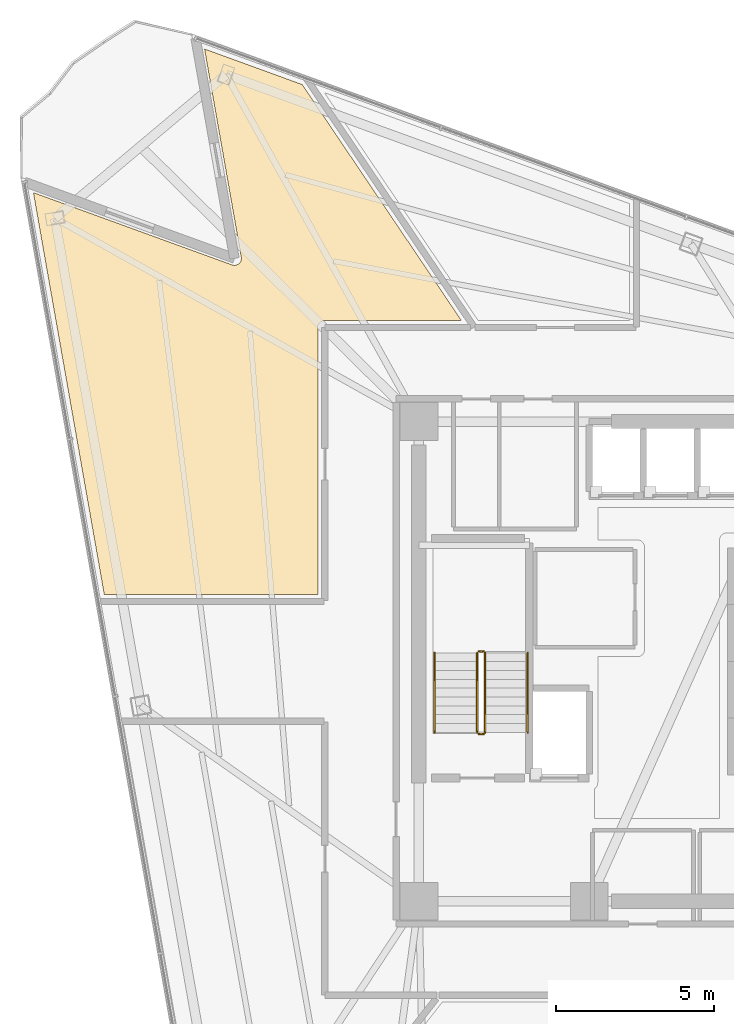
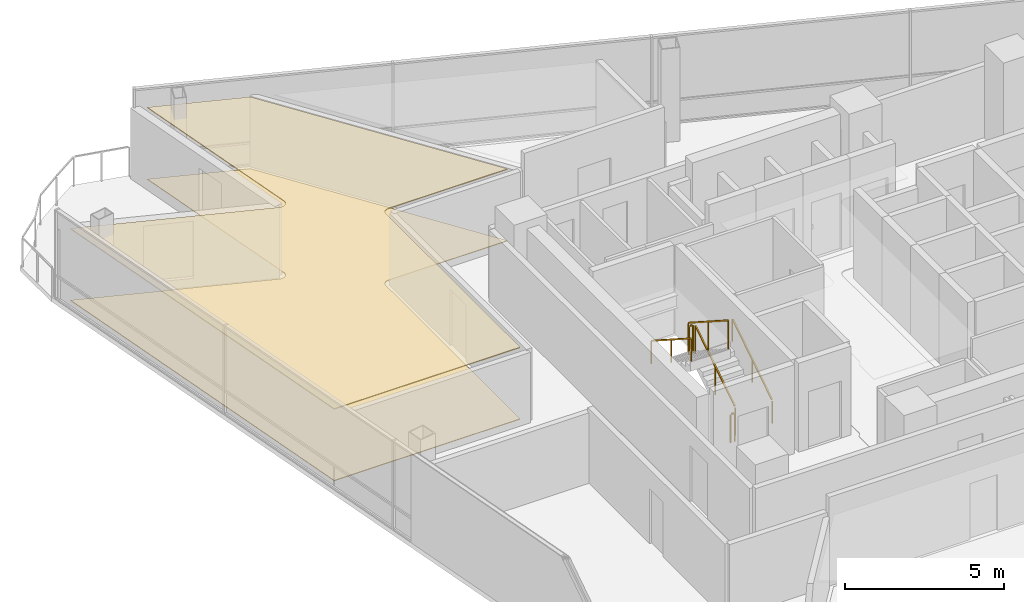
# One storey, part 14 of 16: 6 railings, 2 coverings.
"""IFC4 building model written with IfcOpenShell, lengths in metres."""

from ifc_helpers import new_model, si_unit, direction, frame, origin, origin_2d, place, context, subcontext, project, spatial, polyline, rectangle, outline, extrude, material, layer, layer_set, type_object, element, save


model = new_model("IFC4")

# Units and contexts
model_context = context("Model", 3, precision=1e-05, world=origin(), true_north=direction((0.0, 1.0)))
body_context = subcontext(model_context, "Body", "Model", "MODEL_VIEW")
ifc_project = project(units=[si_unit("LENGTHUNIT", "METRE"), si_unit("AREAUNIT", "SQUARE_METRE"), si_unit("VOLUMEUNIT", "CUBIC_METRE"), si_unit("PLANEANGLEUNIT", "RADIAN"), si_unit("MASSUNIT", "GRAM", prefix="KILO")], contexts=[model_context])

# Site, building, storey
site_placement = place(None, origin())
site = spatial("IfcSite", under=ifc_project, at=site_placement, CompositionType="ELEMENT")
building_placement = place(site_placement, origin())
building = spatial("IfcBuilding", under=site, at=building_placement, Name="Tharavind Bronze Gate", CompositionType="ELEMENT")
storey_placement = place(building_placement, frame((0.0, 0.0, 188.5)))
storey = spatial("IfcBuildingStorey", under=building, at=storey_placement, Name="L48", CompositionType="ELEMENT", Elevation=188.5)

# Coverings
ifc_material_1 = material(Name="Engineered Oak & Carpet Tile", Category="wood")
ifc_layer_1 = layer(ifc_material_1, 0.02490234375)
ifc_layer_set_1 = layer_set([ifc_layer_1], Name="Engineered Oak & Carpet Tile")
covering_type_1 = type_object("IfcCoveringType", Name="ENGINEERED TIMBER FLOORING", PredefinedType="FLOORING", material=ifc_layer_set_1)
covering_1_placement = place(storey_placement, origin())
element("IfcCovering", 1, at=covering_1_placement, inside=storey, type_object=covering_type_1, Name="L48-RM-03 floor finish", PredefinedType="FLOORING", context=body_context, shape_type="SweptSolid", body=[
    extrude(outline(polyline([(-18.868408203125, 2.1201171875), (-12.10009765625, 2.1201171875), (-12.10009765625, 10.579345703125), (-12.099609375, 10.590087890625), (-12.099609375, 10.5908203125), (-12.09765625, 10.6123046875), (-12.093505859375, 10.63330078125), (-12.087158203125, 10.654052734375), (-12.078857421875, 10.674072265625), (-12.068603515625, 10.693115234375), (-12.056640625, 10.7109375), (-12.04296875, 10.727783203125), (-12.027587890625, 10.742919921875), (-12.010986328125, 10.756591796875), (-11.9931640625, 10.768798828125), (-11.97412109375, 10.77880859375), (-11.9541015625, 10.787109375), (-11.933349609375, 10.79345703125), (-11.912353515625, 10.797607421875), (-11.890869140625, 10.7998046875), (-11.89013671875, 10.7998046875), (-11.87939453125, 10.800048828125), (-7.550048828125, 10.800048828125), (-12.59521484375, 18.27978515625), (-15.690185546875, 19.40625), (-14.527099609375, 12.8095703125), (-14.525390625, 12.798828125), (-14.525390625, 12.798095703125), (-14.523681640625, 12.7763671875), (-14.5244140625, 12.75439453125), (-14.527099609375, 12.732666015625), (-14.531982421875, 12.711181640625), (-14.538818359375, 12.6904296875), (-14.5478515625, 12.67041015625), (-14.558837890625, 12.651611328125), (-14.571533203125, 12.6337890625), (-14.586181640625, 12.6171875), (-14.602294921875, 12.602294921875), (-14.61962890625, 12.589111328125), (-14.638427734375, 12.57763671875), (-14.658203125, 12.568115234375), (-14.6787109375, 12.560546875), (-14.699951171875, 12.55517578125), (-14.7216796875, 12.552001953125), (-14.74365234375, 12.55078125), (-14.765380859375, 12.552001953125), (-14.787109375, 12.55517578125), (-14.80859375, 12.560546875), (-14.80908203125, 12.560791015625), (-14.8193359375, 12.564208984375), (-21.114013671875, 14.855224609375), (-18.868408203125, 2.1201171875)])), origin(), (0.0, 0.0, 1.0), 0.02490234375),
])
ifc_material_2 = material(Name="Acoustic Gypsum Board", Category="gypsum")
ifc_layer_2 = layer(ifc_material_2, 0.030029296875)
ifc_layer_set_2 = layer_set([ifc_layer_2], Name="Acoustic Gypsum Board")
covering_type_2 = type_object("IfcCoveringType", Name="GYPSUM SUSPENDED CEILING", PredefinedType="CEILING", material=ifc_layer_set_2)
covering_2_placement = place(storey_placement, frame((0.0, 0.0, 2.75)))
element("IfcCovering", 2, at=covering_2_placement, inside=storey, type_object=covering_type_2, Name="L48-RM-03 suspended ceiling", PredefinedType="CEILING", context=body_context, shape_type="SweptSolid", body=[
    extrude(outline(polyline([(-18.868408203125, 2.1201171875), (-12.10009765625, 2.1201171875), (-12.10009765625, 10.579345703125), (-12.099609375, 10.590087890625), (-12.099609375, 10.5908203125), (-12.09765625, 10.6123046875), (-12.093505859375, 10.63330078125), (-12.087158203125, 10.654052734375), (-12.078857421875, 10.674072265625), (-12.068603515625, 10.693115234375), (-12.056640625, 10.7109375), (-12.04296875, 10.727783203125), (-12.027587890625, 10.742919921875), (-12.010986328125, 10.756591796875), (-11.9931640625, 10.768798828125), (-11.97412109375, 10.77880859375), (-11.9541015625, 10.787109375), (-11.933349609375, 10.79345703125), (-11.912353515625, 10.797607421875), (-11.890869140625, 10.7998046875), (-11.89013671875, 10.7998046875), (-11.87939453125, 10.800048828125), (-7.550048828125, 10.800048828125), (-12.59521484375, 18.27978515625), (-15.690185546875, 19.40625), (-14.527099609375, 12.8095703125), (-14.525390625, 12.798828125), (-14.525390625, 12.798095703125), (-14.523681640625, 12.7763671875), (-14.5244140625, 12.75439453125), (-14.527099609375, 12.732666015625), (-14.531982421875, 12.711181640625), (-14.538818359375, 12.6904296875), (-14.5478515625, 12.67041015625), (-14.558837890625, 12.651611328125), (-14.571533203125, 12.6337890625), (-14.586181640625, 12.6171875), (-14.602294921875, 12.602294921875), (-14.61962890625, 12.589111328125), (-14.638427734375, 12.57763671875), (-14.658203125, 12.568115234375), (-14.6787109375, 12.560546875), (-14.699951171875, 12.55517578125), (-14.7216796875, 12.552001953125), (-14.74365234375, 12.55078125), (-14.765380859375, 12.552001953125), (-14.787109375, 12.55517578125), (-14.80859375, 12.560546875), (-14.80908203125, 12.560791015625), (-14.8193359375, 12.564208984375), (-21.114013671875, 14.855224609375), (-18.868408203125, 2.1201171875)])), origin(), (0.0, 0.0, 1.0), 0.034912109375),
])

# Railings
ifc_material_3 = material(Name="Brushed Bronze Alloy", Category="metal")
railing_type_1 = type_object("IfcRailingType", Name="STAIR BRONZE HANDRAIL 900", PredefinedType="HANDRAIL", material=ifc_material_3)
railing_1_placement = place(storey_placement, frame((-5.449951171875, -2.25, 0.179931640625)))
element("IfcRailing", 3, at=railing_1_placement, inside=storey, type_object=railing_type_1, Name="L48 ST1 stair handrail 1", PredefinedType="HANDRAIL", context=body_context, shape_type="SweptSolid", body=[
    extrude(rectangle(XDim=0.048095703125, YDim=0.048095703125, at=origin_2d()), frame((0.0, 0.02685546875, 0.89306640625), z_axis=(0.0, 0.841162588446, 0.540782303519), x_axis=(-1.0, 0.0, 0.0)), (0.0, 0.0, 1.0), 2.931884765625),
    extrude(rectangle(XDim=0.0400390625, YDim=0.0400390625, at=origin_2d()), origin(), (0.0, 0.0, 1.0), 0.847900390625),
    extrude(rectangle(XDim=0.0400390625, YDim=0.0400390625, at=origin_2d()), frame((0.0, 1.260009765625, 0.81005859375)), (0.0, 0.0, 1.0), 0.847900390625),
    extrude(rectangle(XDim=0.0400390625, YDim=0.0400390625, at=origin_2d()), frame((0.0, 2.52001953125, 1.6201171875)), (0.0, 0.0, 1.0), 0.847900390625),
])
railing_2_placement = place(storey_placement, frame((-8.39990234375, 0.27001953125, 1.97998046875)))
element("IfcRailing", 4, at=railing_2_placement, inside=storey, type_object=railing_type_1, Name="L48 ST1 stair handrail 2", PredefinedType="HANDRAIL", context=body_context, shape_type="SweptSolid", body=[
    extrude(rectangle(XDim=0.048095703125, YDim=0.048095703125, at=origin_2d()), frame((0.0, -0.02685546875, 0.89306640625), z_axis=(0.0, -0.841162588446, 0.540782303519), x_axis=(1.0, 0.0, 0.0)), (0.0, 0.0, 1.0), 2.931884765625),
    extrude(rectangle(XDim=0.0400390625, YDim=0.0400390625, at=origin_2d()), origin(), (0.0, 0.0, 1.0), 0.847900390625),
    extrude(rectangle(XDim=0.0400390625, YDim=0.0400390625, at=origin_2d()), frame((0.0, -1.260009765625, 0.81005859375)), (0.0, 0.0, 1.0), 0.847900390625),
    extrude(rectangle(XDim=0.0400390625, YDim=0.0400390625, at=origin_2d()), frame((0.0, -2.52001953125, 1.6201171875)), (0.0, 0.0, 1.0), 0.847900390625),
])
railing_type_2 = type_object("IfcRailingType", Name="STAIR WELL GUARD RAILING 1120", PredefinedType="GUARDRAIL", material=ifc_material_3)
railing_3_placement = place(storey_placement, frame((-6.800048828125, -2.25, 0.179931640625)))
element("IfcRailing", 5, at=railing_3_placement, inside=storey, type_object=railing_type_2, Name="L48 ST1 stair guard 1", PredefinedType="GUARDRAIL", context=body_context, shape_type="SweptSolid", body=[
    extrude(rectangle(XDim=0.048095703125, YDim=0.048095703125, at=origin_2d()), frame((0.0, 0.02685546875, 1.11328125), z_axis=(0.0, 0.841162588446, 0.540782303519), x_axis=(-1.0, 0.0, 0.0)), (0.0, 0.0, 1.0), 2.931884765625),
    extrude(rectangle(XDim=0.0400390625, YDim=0.0400390625, at=origin_2d()), origin(), (0.0, 0.0, 1.0), 1.068115234375),
    extrude(rectangle(XDim=0.0400390625, YDim=0.0400390625, at=origin_2d()), frame((0.0, 1.260009765625, 0.81005859375)), (0.0, 0.0, 1.0), 1.068115234375),
    extrude(rectangle(XDim=0.0400390625, YDim=0.0400390625, at=origin_2d()), frame((0.0, 2.52001953125, 1.6201171875)), (0.0, 0.0, 1.0), 1.068115234375),
])
railing_4_placement = place(storey_placement, frame((-6.85009765625, 0.320068359375, 1.800048828125)))
element("IfcRailing", 6, at=railing_4_placement, inside=storey, type_object=railing_type_2, Name="L48 ST1 stair guard 2", PredefinedType="GUARDRAIL", context=body_context, shape_type="SweptSolid", body=[
    extrude(rectangle(XDim=0.048095703125, YDim=0.048095703125, at=origin_2d()), frame((-0.031982421875, 0.0, 1.09619140625), z_axis=(-1.0, 0.0, 0.0), x_axis=(0.0, -1.0, 0.0)), (0.0, 0.0, 1.0), 0.0859375),
    extrude(rectangle(XDim=0.0400390625, YDim=0.0400390625, at=origin_2d()), origin(), (0.0, 0.0, 1.0), 1.068115234375),
    extrude(rectangle(XDim=0.0400390625, YDim=0.0400390625, at=origin_2d()), frame((-0.14990234375, 0.0, 0.0)), (0.0, 0.0, 1.0), 1.068115234375),
])
railing_5_placement = place(storey_placement, frame((-7.050048828125, 0.27001953125, 1.97998046875)))
element("IfcRailing", 7, at=railing_5_placement, inside=storey, type_object=railing_type_2, Name="L48 ST1 stair guard 3", PredefinedType="GUARDRAIL", context=body_context, shape_type="SweptSolid", body=[
    extrude(rectangle(XDim=0.048095703125, YDim=0.048095703125, at=origin_2d()), frame((0.0, -0.02685546875, 1.11328125), z_axis=(0.0, -0.841162588446, 0.540782303519), x_axis=(1.0, 0.0, 0.0)), (0.0, 0.0, 1.0), 2.931884765625),
    extrude(rectangle(XDim=0.0400390625, YDim=0.0400390625, at=origin_2d()), origin(), (0.0, 0.0, 1.0), 1.068115234375),
    extrude(rectangle(XDim=0.0400390625, YDim=0.0400390625, at=origin_2d()), frame((0.0, -1.260009765625, 0.81005859375)), (0.0, 0.0, 1.0), 1.068115234375),
    extrude(rectangle(XDim=0.0400390625, YDim=0.0400390625, at=origin_2d()), frame((0.0, -2.52001953125, 1.6201171875)), (0.0, 0.0, 1.0), 1.068115234375),
])
railing_6_placement = place(storey_placement, frame((-6.85009765625, -2.300048828125, 0.0)))
element("IfcRailing", 8, at=railing_6_placement, inside=storey, type_object=railing_type_2, Name="L48 ST1 stair guard 4", PredefinedType="GUARDRAIL", context=body_context, shape_type="SweptSolid", body=[
    extrude(rectangle(XDim=0.048095703125, YDim=0.048095703125, at=origin_2d()), frame((-0.031982421875, 0.0, 1.09619140625), z_axis=(-1.0, 0.0, 0.0), x_axis=(0.0, -1.0, 0.0)), (0.0, 0.0, 1.0), 0.0859375),
    extrude(rectangle(XDim=0.0400390625, YDim=0.0400390625, at=origin_2d()), origin(), (0.0, 0.0, 1.0), 1.068115234375),
    extrude(rectangle(XDim=0.0400390625, YDim=0.0400390625, at=origin_2d()), frame((-0.14990234375, 0.0, 0.0)), (0.0, 0.0, 1.0), 1.068115234375),
])

save(model, "model.ifc")
